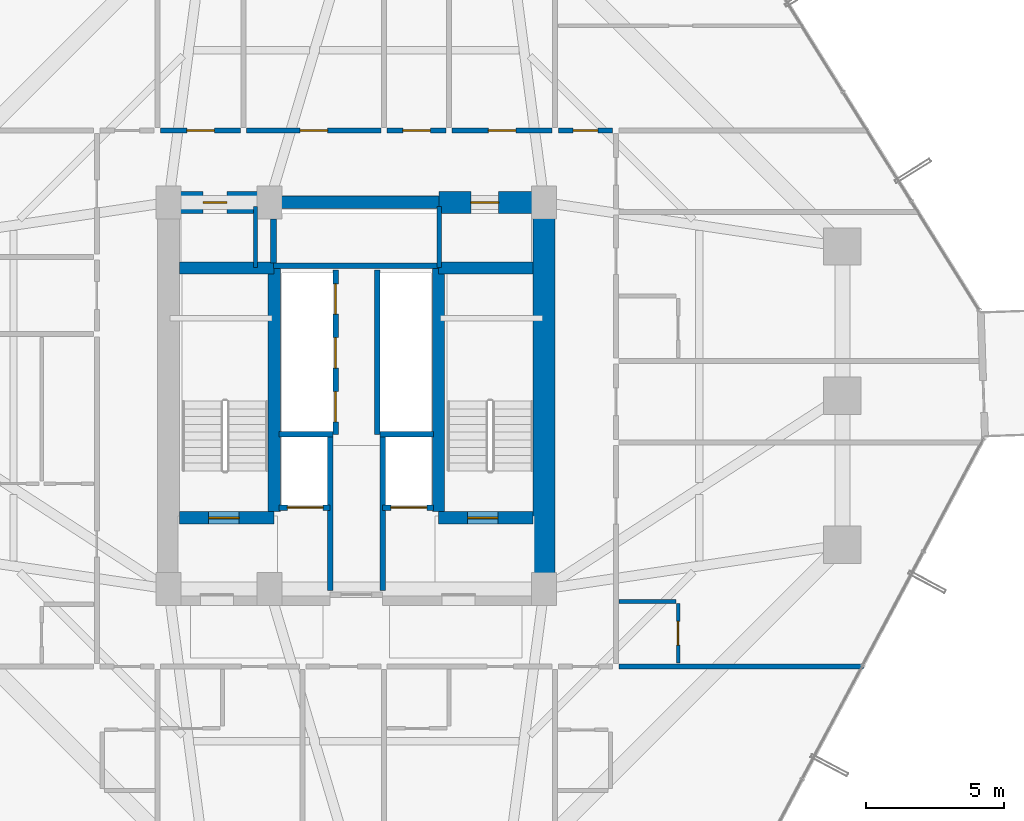
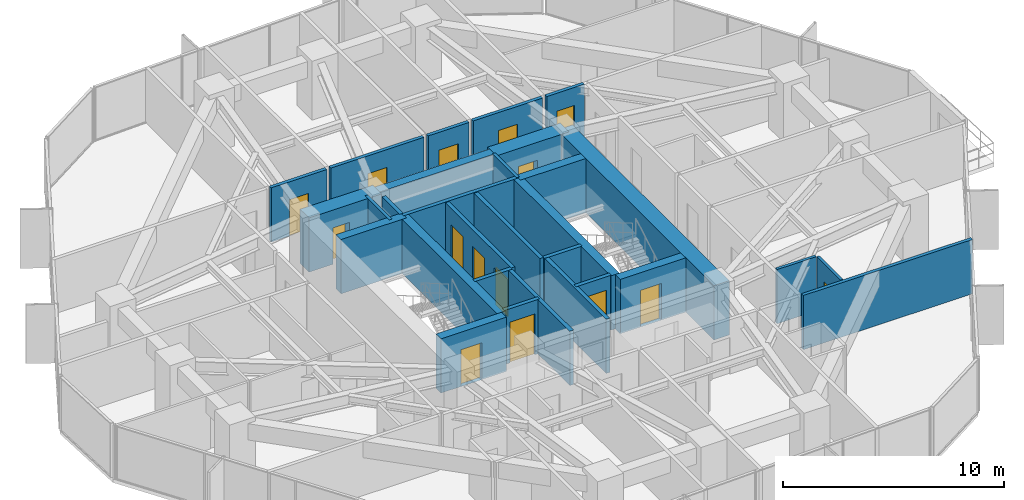
# One storey, part 36 of 39: 30 walls, 15 doors, 15 openings.
"""IFC4 building model written with IfcOpenShell, lengths in metres."""

import ifcopenshell
import ifcopenshell.guid

model = None  # the IFC model being written
_history = None  # IfcOwnerHistory: only IFC2X3 demands one
_inside = {}  # id of a spatial element -> (the spatial element, [elements in it])
_under = {}  # id of a project, library or spatial element -> (it, [spatial elements below it])
_declared = {}  # id of a project -> (the project, [libraries it declares])
_typed = {}  # id of a type object -> (the type object, [elements of that type])
_made_of = {}  # id of a material, layer set ... -> (it, [elements and type objects made of it])


def new_model(schema):
    """Start an empty IFC model of exactly this schema.

    Asked for "IFC4X3", IfcOpenShell would pick the latest addendum, in which some entities
    have other attributes; the version numbers below select the first issue.
    IFC2X3 requires an IfcOwnerHistory on every rooted entity: one is made here for all.
    """
    global model, _history
    if schema == "IFC4X3":
        model = ifcopenshell.file(schema_version=(4, 3, 0, 0))
    else:
        model = ifcopenshell.file(schema=schema)
    _inside.clear()
    _under.clear()
    _declared.clear()
    _typed.clear()
    _made_of.clear()
    _history = None
    if model.schema == "IFC2X3":
        org = make("IfcOrganization", Name="unknown")
        user = make(
            "IfcPersonAndOrganization",
            ThePerson=make("IfcPerson", FamilyName="unknown"),
            TheOrganization=org,
        )
        app = make(
            "IfcApplication",
            ApplicationDeveloper=org,
            Version="unknown",
            ApplicationFullName="unknown",
            ApplicationIdentifier="unknown",
        )
        _history = make(
            "IfcOwnerHistory",
            OwningUser=user,
            OwningApplication=app,
            ChangeAction="ADDED",
            CreationDate=0,
        )
    return model


def make(cls, **values):
    """One entity of the class cls with the attributes given. An attribute that is None is left unset."""
    return model.create_entity(
        cls, **{name: value for name, value in values.items() if value is not None}
    )


def rooted(cls, **values):
    """An entity with a GlobalId (a new one), such as an element, a storey or a relation."""
    return make(cls, GlobalId=ifcopenshell.guid.new(), OwnerHistory=_history, **values)


def si_unit(unit_type, name, prefix=None):
    """IfcSIUnit, for example si_unit("LENGTHUNIT", "METRE", prefix="MILLI")."""
    return make("IfcSIUnit", UnitType=unit_type, Prefix=prefix, Name=name)


def assignment(units):
    """IfcUnitAssignment: the units of a project."""
    return None if units is None else make("IfcUnitAssignment", Units=units)


def point(xyz):
    """IfcCartesianPoint."""
    return None if xyz is None else make("IfcCartesianPoint", Coordinates=xyz)


def direction(xyz):
    """IfcDirection."""
    return None if xyz is None else make("IfcDirection", DirectionRatios=xyz)


def frame(location, z_axis=None, x_axis=None):
    """IfcAxis2Placement3D, a coordinate frame: its origin and axes. An axis left out is left unset."""
    return make(
        "IfcAxis2Placement3D",
        Location=point(location),
        Axis=direction(z_axis),
        RefDirection=direction(x_axis),
    )


def frame_2d(location, x_axis=None):
    """IfcAxis2Placement2D, a coordinate frame in the plane: its origin and x axis."""
    return make(
        "IfcAxis2Placement2D", Location=point(location), RefDirection=direction(x_axis)
    )


def origin():
    """The frame at (0, 0, 0) with its axes left unset."""
    return frame((0.0, 0.0, 0.0))


def place(relative_to, where):
    """IfcLocalPlacement: puts the frame where relative to a parent placement (None: the world)."""
    return make(
        "IfcLocalPlacement", PlacementRelTo=relative_to, RelativePlacement=where
    )


def context(
    kind, dimensions, precision=None, world=None, true_north=None, identifier=None
):
    """IfcGeometricRepresentationContext, for example the 3D "Model" context."""
    return make(
        "IfcGeometricRepresentationContext",
        ContextIdentifier=identifier,
        ContextType=kind,
        CoordinateSpaceDimension=dimensions,
        Precision=precision,
        WorldCoordinateSystem=world,
        TrueNorth=true_north,
    )


def subcontext(parent, identifier, kind, view, scale=None):
    """IfcGeometricRepresentationSubContext, for example "Body" below "Model"."""
    return make(
        "IfcGeometricRepresentationSubContext",
        ContextIdentifier=identifier,
        ContextType=kind,
        ParentContext=parent,
        TargetScale=scale,
        TargetView=view,
    )


def project(units=None, contexts=None):
    """IfcProject with its units and contexts."""
    return rooted(
        "IfcProject",
        Name="project",
        RepresentationContexts=contexts,
        UnitsInContext=assignment(units),
    )


def spatial(cls, under=None, at=None, **own):
    """A site, building, storey or space (cls), placed at a placement, below another one or the project."""
    s = rooted(cls, ObjectPlacement=at, **own)
    if under is not None:
        _under.setdefault(under.id(), (under, []))[1].append(s)
    return s


def profile(cls, at=None, kind="AREA", **sizes):
    """A parametric profile (cls). Its sizes go by their IFC names, for example OverallWidth=200.0."""
    return make(cls, ProfileType=kind, Position=at, **sizes)


def rectangle(**sizes):
    """IfcRectangleProfileDef."""
    return profile("IfcRectangleProfileDef", **sizes)


def extrude(swept, where, along, depth):
    """IfcExtrudedAreaSolid: the profile swept, set in the frame where, extruded along a direction by depth."""
    return make(
        "IfcExtrudedAreaSolid",
        SweptArea=swept,
        Position=where,
        ExtrudedDirection=direction(along),
        Depth=depth,
    )


def shape(context_of_items, identifier, shape_type, items):
    """IfcShapeRepresentation: the items that make up one representation, for example the "Body"."""
    return make(
        "IfcShapeRepresentation",
        ContextOfItems=context_of_items,
        RepresentationIdentifier=identifier,
        RepresentationType=shape_type,
        Items=items,
    )


def source(mapping_origin, context_of_items, identifier, shape_type, items):
    """IfcRepresentationMap: a shape defined once, which mapped items show again and again."""
    return make(
        "IfcRepresentationMap",
        MappingOrigin=mapping_origin,
        MappedRepresentation=shape(context_of_items, identifier, shape_type, items),
    )


def transform(
    local_origin,
    x_axis=None,
    y_axis=None,
    z_axis=None,
    scale=None,
    scale2=None,
    scale3=None,
    uniform=True,
):
    """IfcCartesianTransformationOperator3D, or its non-uniform kind. x_axis, y_axis, z_axis: its Axis1, 2, 3."""
    if uniform:
        return make(
            "IfcCartesianTransformationOperator3D",
            Axis1=direction(x_axis),
            Axis2=direction(y_axis),
            LocalOrigin=point(local_origin),
            Scale=scale,
            Axis3=direction(z_axis),
        )
    return make(
        "IfcCartesianTransformationOperator3DnonUniform",
        Axis1=direction(x_axis),
        Axis2=direction(y_axis),
        LocalOrigin=point(local_origin),
        Scale=scale,
        Axis3=direction(z_axis),
        Scale2=scale2,
        Scale3=scale3,
    )


def mapped(mapping_source, mapping_target):
    """IfcMappedItem: shows the shape of a source again, moved by a transform."""
    return make(
        "IfcMappedItem", MappingSource=mapping_source, MappingTarget=mapping_target
    )


def material(Name=None, Category=None):
    """IfcMaterial."""
    return make("IfcMaterial", Name=Name, Category=Category)


def layer(
    of_material, thickness, ventilated=None, Name=None, Category=None, Priority=None
):
    """IfcMaterialLayer: one layer of a wall or slab, of a material (None: an air gap)."""
    return make(
        "IfcMaterialLayer",
        Material=of_material,
        LayerThickness=thickness,
        IsVentilated=ventilated,
        Name=Name,
        Category=Category,
        Priority=Priority,
    )


def layer_set(layers, Name=None):
    """IfcMaterialLayerSet."""
    return make("IfcMaterialLayerSet", MaterialLayers=layers, LayerSetName=Name)


def made_of(thing, what):
    """Note that an element or type object is made of a material, layer set ...; save() writes the relation."""
    if what is not None:
        _made_of.setdefault(what.id(), (what, []))[1].append(thing)
    return thing


def type_object(cls, material=None, **own):
    """A type object (cls), such as IfcWallType, which elements share."""
    return made_of(rooted(cls, **own), material)


def element(
    cls,
    number,
    at=None,
    inside=None,
    cuts=None,
    type_object=None,
    material=None,
    context=None,
    identifier="Body",
    shape_type=None,
    held_by="IfcProductDefinitionShape",
    body=None,
    shapes=None,
    **own,
):
    """One element of the class cls, such as IfcWall. Its Tag is "e" and its number.

    at: its placement. inside: the storey or other place that contains it. cuts: it is an
    opening in that element (IfcRelVoidsElement). A single representation is given by context,
    identifier, shape_type and body (its items); several are given by shapes. held_by: the class
    of the entity that holds the representations. save() writes the other relations.
    """
    e = rooted(cls, Tag="e%d" % number, ObjectPlacement=at, **own)
    if body is not None:
        shapes = [shape(context, identifier, shape_type, body)]
    if shapes is not None:
        e.Representation = make(held_by, Representations=shapes)
    if inside is not None:
        _inside.setdefault(inside.id(), (inside, []))[1].append(e)
    if cuts is not None:
        rooted(
            "IfcRelVoidsElement", RelatingBuildingElement=cuts, RelatedOpeningElement=e
        )
    if type_object is not None:
        _typed.setdefault(type_object.id(), (type_object, []))[1].append(e)
    return made_of(e, material)


def fill(opening, filler):
    """IfcRelFillsElement: the door or window that sits in an opening."""
    return rooted(
        "IfcRelFillsElement",
        RelatingOpeningElement=opening,
        RelatedBuildingElement=filler,
    )


def aggregate(whole, parts):
    """IfcRelAggregates: a whole, such as a stair, and the parts it consists of."""
    return rooted("IfcRelAggregates", RelatingObject=whole, RelatedObjects=parts)


def save(model, path):
    """Write the relations noted so far, then the file.

    IfcRelAggregates (storeys below a building ...), IfcRelContainedInSpatialStructure (elements
    in a storey), IfcRelDefinesByType, IfcRelAssociatesMaterial and IfcRelDeclares: one each for
    every whole, place, type object, material and project.
    """
    for whole, parts in _under.values():
        aggregate(whole, parts)
    for where, things in _inside.values():
        rooted(
            "IfcRelContainedInSpatialStructure",
            RelatedElements=things,
            RelatingStructure=where,
        )
    for kind, things in _typed.values():
        rooted("IfcRelDefinesByType", RelatedObjects=things, RelatingType=kind)
    for what, things in _made_of.values():
        rooted("IfcRelAssociatesMaterial", RelatedObjects=things, RelatingMaterial=what)
    for by, libraries in _declared.values():
        rooted("IfcRelDeclares", RelatingContext=by, RelatedDefinitions=libraries)
    model.write(path)


model = new_model("IFC4")

# Units and contexts
model_context = context("Model", 3, precision=1e-05, world=origin(), true_north=direction((0.0, 1.0)))
body_context = subcontext(model_context, "Body", "Model", "MODEL_VIEW")
ifc_project = project(units=[si_unit("LENGTHUNIT", "METRE"), si_unit("AREAUNIT", "SQUARE_METRE"), si_unit("VOLUMEUNIT", "CUBIC_METRE"), si_unit("PLANEANGLEUNIT", "RADIAN"), si_unit("MASSUNIT", "GRAM", prefix="KILO")], contexts=[model_context])

# Site, building, storey
site_placement = place(None, origin())
site = spatial("IfcSite", under=ifc_project, at=site_placement, CompositionType="ELEMENT")
building_placement = place(site_placement, origin())
building = spatial("IfcBuilding", under=site, at=building_placement, Name="Veraguas Prism Commons", CompositionType="ELEMENT")
storey_placement = place(building_placement, frame((0.0, 0.0, 30.550048828125)))
storey = spatial("IfcBuildingStorey", under=building, at=storey_placement, Name="L07", CompositionType="ELEMENT", Elevation=30.550048828125)

# Wall
ifc_material_1 = material(Name="Concrete C60/75", Category="concrete")
ifc_layer_1 = layer(ifc_material_1, 0.449951171875, Name="Core Internal Shear Wall Lower RC 450", Category="concrete")
ifc_layer_set_1 = layer_set([ifc_layer_1], Name="Concrete C60/75")
wall_type_1 = type_object("IfcWallType", Name="Core Internal Shear Wall Lower RC 450", PredefinedType="SHEAR", material=ifc_layer_set_1)
wall_1_placement = place(storey_placement, frame((21.0, 31.0, 0.0), z_axis=(0.0, 0.0, 1.0), x_axis=(1.0, 0.0, 0.0)))
element("IfcWall", 1, at=wall_1_placement, inside=storey, type_object=wall_type_1, Name="High-Rise Lift Bank Front Shear Wall L07", PredefinedType="SHEAR", context=body_context, shape_type="SweptSolid", body=[
    extrude(rectangle(XDim=6.0, YDim=0.449951171875, at=frame_2d((3.0, 0.0))), origin(), (0.0, 0.0, 1.0), 3.0),
])

# Wall, opening, door
wall_2_placement = place(storey_placement, frame((17.60009765625, 19.574951171875, 0.0), z_axis=(0.0, 0.0, 1.0), x_axis=(1.0, 0.0, 0.0)))
wall_2 = element("IfcWall", 2, at=wall_2_placement, inside=storey, type_object=wall_type_1, Name="Stair ST-01 South Shear Wall L07", PredefinedType="SHEAR", context=body_context, shape_type="SweptSolid", body=[
    extrude(rectangle(XDim=3.4248046875, YDim=0.449951171875, at=frame_2d((1.71240234375, 0.0))), origin(), (0.0, 0.0, 1.0), 3.0),
])
opening_1_placement = place(wall_2_placement, frame((1.050048828125, 0.0, 0.0)))
opening_1 = element("IfcOpeningElement", 3, at=opening_1_placement, cuts=wall_2, Name="Opening DR-05", PredefinedType="OPENING", context=body_context, shape_type="SweptSolid", body=[
    extrude(rectangle(XDim=1.10009765625, YDim=2.030029296875, at=frame_2d((0.550048828125, 1.01513671875))), frame((0.0, 0.23486328125, 0.0), z_axis=(0.0, -1.0, 0.0), x_axis=(1.0, 0.0, 0.0)), (0.0, 0.0, 1.0), 0.469970703125),
])
ifc_material_2 = material(Name="Steel fire-rated door assembly", Category="steel")
door_type_1 = type_object("IfcDoorType", Name="Protected Stair and Refuge Fire Door 1100x2030", OperationType="NOTDEFINED", PredefinedType="DOOR", material=ifc_material_2)
shared_shape_1 = source(origin(), body_context, "Body", "SweptSolid", [
    extrude(rectangle(XDim=1.10009765625, YDim=2.030029296875, at=frame_2d((0.550048828125, 1.01513671875))), frame((0.0, 0.02490234375, 0.0), z_axis=(0.0, -1.0, 0.0), x_axis=(1.0, 0.0, 0.0)), (0.0, 0.0, 1.0), 0.050048828125),
])
door_1_placement = place(opening_1_placement, origin())
door_1 = element("IfcDoor", 4, at=door_1_placement, inside=storey, type_object=door_type_1, Name="Stair ST-01 Enclosure Door L07", OperationType="SINGLE_SWING_LEFT", OverallHeight=2.030029296875, OverallWidth=1.10009765625, PredefinedType="DOOR", context=body_context, shape_type="MappedRepresentation", body=[
    mapped(shared_shape_1, transform((0.0, 0.0, 0.0), scale=1.0)),
])
fill(opening_1, door_1)

wall_3_placement = place(storey_placement, frame((26.97509765625, 19.574951171875, 0.0), z_axis=(0.0, 0.0, 1.0), x_axis=(1.0, 0.0, 0.0)))
wall_3 = element("IfcWall", 5, at=wall_3_placement, inside=storey, type_object=wall_type_1, Name="Stair ST-02 South Shear Wall L07", PredefinedType="SHEAR", context=body_context, shape_type="SweptSolid", body=[
    extrude(rectangle(XDim=3.4248046875, YDim=0.449951171875, at=frame_2d((1.71240234375, 0.0))), origin(), (0.0, 0.0, 1.0), 3.0),
])
opening_2_placement = place(wall_3_placement, frame((1.050048828125, 0.0, 0.0)))
opening_2 = element("IfcOpeningElement", 6, at=opening_2_placement, cuts=wall_3, Name="Opening DR-05", PredefinedType="OPENING", context=body_context, shape_type="SweptSolid", body=[
    extrude(rectangle(XDim=1.10009765625, YDim=2.030029296875, at=frame_2d((0.550048828125, 1.01513671875))), frame((0.0, 0.23486328125, 0.0), z_axis=(0.0, -1.0, 0.0), x_axis=(1.0, 0.0, 0.0)), (0.0, 0.0, 1.0), 0.469970703125),
])
door_2_placement = place(opening_2_placement, origin())
door_2 = element("IfcDoor", 7, at=door_2_placement, inside=storey, type_object=door_type_1, Name="Stair ST-02 Enclosure Door L07", OperationType="SINGLE_SWING_RIGHT", OverallHeight=2.030029296875, OverallWidth=1.10009765625, PredefinedType="DOOR", context=body_context, shape_type="MappedRepresentation", body=[
    mapped(shared_shape_1, transform((0.0, 0.0, 0.0), scale=1.0)),
])
fill(opening_2, door_2)

# Walls
for number, where, z_axis, x_axis, name in (
    (8, (21.02490234375, 19.800048828125, 0.0), (0.0, 0.0, 1.0), (0.0, 1.0, 0.0), "Stair ST-01 Inner Shear Wall L07"),
    (9, (26.97509765625, 19.800048828125, 0.0), (0.0, 0.0, 1.0), (0.0, 1.0, 0.0), "Stair ST-02 Inner Shear Wall L07"),
):
    element("IfcWall", number, at=place(storey_placement, frame(where, z_axis=z_axis, x_axis=x_axis)), inside=storey, type_object=wall_type_1, Name=name, PredefinedType="SHEAR", context=body_context, shape_type="SweptSolid", body=[
        extrude(rectangle(XDim=8.824951171875, YDim=0.449951171875, at=frame_2d((4.41259765625, 0.0))), origin(), (0.0, 0.0, 1.0), 3.0),
    ])
for number, where, z_axis, x_axis, name in (
    (10, (17.60009765625, 28.625, 0.0), (0.0, 0.0, 1.0), (1.0, 0.0, 0.0), "Stair ST-01 North Shear Wall L07"),
    (11, (26.97509765625, 28.625, 0.0), (0.0, 0.0, 1.0), (1.0, 0.0, 0.0), "Stair ST-02 North Shear Wall L07"),
):
    element("IfcWall", number, at=place(storey_placement, frame(where, z_axis=z_axis, x_axis=x_axis)), inside=storey, type_object=wall_type_1, Name=name, PredefinedType="SHEAR", context=body_context, shape_type="SweptSolid", body=[
        extrude(rectangle(XDim=3.4248046875, YDim=0.449951171875, at=frame_2d((1.71240234375, 0.0))), origin(), (0.0, 0.0, 1.0), 3.0),
    ])
ifc_layer_2 = layer(ifc_material_1, 0.800048828125, Name="Core Outer Shear Wall Lower RC 800", Category="concrete")
ifc_layer_set_2 = layer_set([ifc_layer_2], Name="Concrete C60/75")
wall_type_2 = type_object("IfcWallType", Name="Core Outer Shear Wall Lower RC 800", PredefinedType="SHEAR", material=ifc_layer_set_2)
wall_4_placement = place(storey_placement, frame((30.800048828125, 16.800048828125, 0.0), z_axis=(0.0, 0.0, 1.0), x_axis=(0.0, 1.0, 0.0)))
element("IfcWall", 12, at=wall_4_placement, inside=storey, type_object=wall_type_2, Name="Central Core East Shear Wall L07", PredefinedType="SHEAR", context=body_context, shape_type="SweptSolid", body=[
    extrude(rectangle(XDim=14.199951171875, YDim=0.800048828125, at=frame_2d((7.10009765625, 0.0))), origin(), (0.0, 0.0, 1.0), 3.0),
])

# Wall, opening, door
wall_5_placement = place(storey_placement, frame((17.199951171875, 31.0, 0.0), z_axis=(0.0, 0.0, 1.0), x_axis=(1.0, 0.0, 0.0)))
wall_5 = element("IfcWall", 13, at=wall_5_placement, inside=storey, type_object=wall_type_2, Name="Central Core North-West Shear Wall L07", PredefinedType="SHEAR", context=body_context, shape_type="SweptSolid", body=[
    extrude(rectangle(XDim=3.800048828125, YDim=0.800048828125, at=frame_2d((1.89990234375, 0.0))), origin(), (0.0, 0.0, 1.0), 3.0),
])
opening_3_placement = place(wall_5_placement, frame((1.25, 0.0, 0.0)))
opening_3 = element("IfcOpeningElement", 14, at=opening_3_placement, cuts=wall_5, Name="Opening DR-12", PredefinedType="OPENING", context=body_context, shape_type="SweptSolid", body=[
    extrude(rectangle(XDim=0.860107421875, YDim=2.010009765625, at=frame_2d((0.43017578125, 1.0048828125))), frame((0.0, 0.409912109375, 0.0), z_axis=(0.0, -1.0, 0.0), x_axis=(1.0, 0.0, 0.0)), (0.0, 0.0, 1.0), 0.820068359375),
])
door_type_2 = type_object("IfcDoorType", Name="Core WC Fire Door 860x2010", OperationType="NOTDEFINED", PredefinedType="DOOR", material=ifc_material_2)
shared_shape_2 = source(origin(), body_context, "Body", "SweptSolid", [
    extrude(rectangle(XDim=0.860107421875, YDim=2.010009765625, at=frame_2d((0.43017578125, 1.0048828125))), frame((0.0, 0.02490234375, 0.0), z_axis=(0.0, -1.0, 0.0), x_axis=(1.0, 0.0, 0.0)), (0.0, 0.0, 1.0), 0.050048828125),
])
door_3_placement = place(opening_3_placement, origin())
door_3 = element("IfcDoor", 15, at=door_3_placement, inside=storey, type_object=door_type_2, Name="Core NW Service Door L07", OperationType="SINGLE_SWING_LEFT", OverallHeight=2.010009765625, OverallWidth=0.860107421875, PredefinedType="DOOR", context=body_context, shape_type="MappedRepresentation", body=[
    mapped(shared_shape_2, transform((0.0, 0.0, 0.0), scale=1.0)),
])
fill(opening_3, door_3)

wall_6_placement = place(storey_placement, frame((27.0, 31.0, 0.0), z_axis=(0.0, 0.0, 1.0), x_axis=(1.0, 0.0, 0.0)))
wall_6 = element("IfcWall", 16, at=wall_6_placement, inside=storey, type_object=wall_type_2, Name="Central Core North-East Shear Wall L07", PredefinedType="SHEAR", context=body_context, shape_type="SweptSolid", body=[
    extrude(rectangle(XDim=3.800048828125, YDim=0.800048828125, at=frame_2d((1.89990234375, 0.0))), origin(), (0.0, 0.0, 1.0), 3.0),
])
opening_4_placement = place(wall_6_placement, frame((1.14990234375, 0.0, 0.0)))
opening_4 = element("IfcOpeningElement", 17, at=opening_4_placement, cuts=wall_6, Name="Opening DR-13", PredefinedType="OPENING", context=body_context, shape_type="SweptSolid", body=[
    extrude(rectangle(XDim=1.0, YDim=2.010009765625, at=frame_2d((0.5, 1.0048828125))), frame((0.0, 0.409912109375, 0.0), z_axis=(0.0, -1.0, 0.0), x_axis=(1.0, 0.0, 0.0)), (0.0, 0.0, 1.0), 0.820068359375),
])
door_type_3 = type_object("IfcDoorType", Name="Core Accessible WC and Clinic Fire Door 1000x2010", OperationType="NOTDEFINED", PredefinedType="DOOR", material=ifc_material_2)
shared_shape_3 = source(origin(), body_context, "Body", "SweptSolid", [
    extrude(rectangle(XDim=1.0, YDim=2.010009765625, at=frame_2d((0.5, 1.0048828125))), frame((0.0, 0.02490234375, 0.0), z_axis=(0.0, -1.0, 0.0), x_axis=(1.0, 0.0, 0.0)), (0.0, 0.0, 1.0), 0.050048828125),
])
door_4_placement = place(opening_4_placement, origin())
door_4 = element("IfcDoor", 18, at=door_4_placement, inside=storey, type_object=door_type_3, Name="Core NE Pantry Door L07", OperationType="SINGLE_SWING_RIGHT", OverallHeight=2.010009765625, OverallWidth=1.0, PredefinedType="DOOR", context=body_context, shape_type="MappedRepresentation", body=[
    mapped(shared_shape_3, transform((0.0, 0.0, 0.0), scale=1.0)),
])
fill(opening_4, door_4)

ifc_material_3 = material(Name="Autoclaved aerated masonry block 10 MPa", Category="masonry")
ifc_layer_3 = layer(ifc_material_3, 0.179931640625, Name="Corridor and Inter-Tenancy Partition 180", Category="masonry")
ifc_layer_set_3 = layer_set([ifc_layer_3], Name="Autoclaved aerated masonry block 10 MPa")
wall_type_3 = type_object("IfcWallType", Name="Corridor and Inter-Tenancy Partition 180", PredefinedType="PARTITIONING", material=ifc_layer_set_3)
wall_7_placement = place(storey_placement, frame((16.909912109375, 33.60009765625, 0.0), z_axis=(0.0, 0.0, 1.0), x_axis=(1.0, 0.0, 0.0)))
wall_7 = element("IfcWall", 19, at=wall_7_placement, inside=storey, type_object=wall_type_3, Name="WL-L07-PT014", PredefinedType="PARTITIONING", context=body_context, shape_type="SweptSolid", body=[
    extrude(rectangle(XDim=2.899169921875, YDim=0.179931640625, at=frame_2d((1.44970703125, 0.0))), origin(), (0.0, 0.0, 1.0), 3.0),
])
opening_5_placement = place(wall_7_placement, frame((0.949462890625, 0.0, 0.0)))
opening_5 = element("IfcOpeningElement", 20, at=opening_5_placement, cuts=wall_7, Name="Opening DR-13", PredefinedType="OPENING", context=body_context, shape_type="SweptSolid", body=[
    extrude(rectangle(XDim=1.0, YDim=2.010009765625, at=frame_2d((0.5, 1.0048828125))), frame((0.0, 0.099853515625, 0.0), z_axis=(0.0, -1.0, 0.0), x_axis=(1.0, 0.0, 0.0)), (0.0, 0.0, 1.0), 0.199951171875),
])
door_5_placement = place(opening_5_placement, origin())
door_5 = element("IfcDoor", 21, at=door_5_placement, inside=storey, type_object=door_type_3, Name="Residents Study Room Door", OperationType="SINGLE_SWING_RIGHT", OverallHeight=2.010009765625, OverallWidth=1.0, PredefinedType="DOOR", context=body_context, shape_type="MappedRepresentation", body=[
    mapped(shared_shape_3, transform((0.0, 0.0, 0.0), scale=1.0)),
])
fill(opening_5, door_5)

wall_8_placement = place(storey_placement, frame((20.029052734375, 33.60009765625, 0.0), z_axis=(0.0, 0.0, 1.0), x_axis=(1.0, 0.0, 0.0)))
wall_8 = element("IfcWall", 22, at=wall_8_placement, inside=storey, type_object=wall_type_3, Name="WL-L07-PT015", PredefinedType="PARTITIONING", context=body_context, shape_type="SweptSolid", body=[
    extrude(rectangle(XDim=4.868896484375, YDim=0.179931640625, at=frame_2d((2.4345703125, 0.0))), origin(), (0.0, 0.0, 1.0), 3.0),
])
opening_6_placement = place(wall_8_placement, frame((1.9345703125, 0.0, 0.0)))
opening_6 = element("IfcOpeningElement", 23, at=opening_6_placement, cuts=wall_8, Name="Opening DR-13", PredefinedType="OPENING", context=body_context, shape_type="SweptSolid", body=[
    extrude(rectangle(XDim=1.0, YDim=2.010009765625, at=frame_2d((0.5, 1.0048828125))), frame((0.0, 0.099853515625, 0.0), z_axis=(0.0, -1.0, 0.0), x_axis=(1.0, 0.0, 0.0)), (0.0, 0.0, 1.0), 0.199951171875),
])
door_6_placement = place(opening_6_placement, origin())
door_6 = element("IfcDoor", 24, at=door_6_placement, inside=storey, type_object=door_type_3, Name="Co-op Store N Door", OperationType="SINGLE_SWING_LEFT", OverallHeight=2.010009765625, OverallWidth=1.0, PredefinedType="DOOR", context=body_context, shape_type="MappedRepresentation", body=[
    mapped(shared_shape_3, transform((0.0, 0.0, 0.0), scale=1.0)),
])
fill(opening_6, door_6)

wall_9_placement = place(storey_placement, frame((25.117919921875, 33.60009765625, 0.0), z_axis=(0.0, 0.0, 1.0), x_axis=(1.0, 0.0, 0.0)))
wall_9 = element("IfcWall", 25, at=wall_9_placement, inside=storey, type_object=wall_type_3, Name="WL-L07-PT018", PredefinedType="PARTITIONING", context=body_context, shape_type="SweptSolid", body=[
    extrude(rectangle(XDim=2.133056640625, YDim=0.179931640625, at=frame_2d((1.06640625, 0.0))), origin(), (0.0, 0.0, 1.0), 3.0),
])
opening_7_placement = place(wall_9_placement, frame((0.56640625, 0.0, 0.0)))
opening_7 = element("IfcOpeningElement", 26, at=opening_7_placement, cuts=wall_9, Name="Opening DR-13", PredefinedType="OPENING", context=body_context, shape_type="SweptSolid", body=[
    extrude(rectangle(XDim=1.0, YDim=2.010009765625, at=frame_2d((0.5, 1.0048828125))), frame((0.0, 0.099853515625, 0.0), z_axis=(0.0, -1.0, 0.0), x_axis=(1.0, 0.0, 0.0)), (0.0, 0.0, 1.0), 0.199951171875),
])
door_7_placement = place(opening_7_placement, origin())
door_7 = element("IfcDoor", 27, at=door_7_placement, inside=storey, type_object=door_type_3, Name="Shared Laundry Room Door", OperationType="SINGLE_SWING_RIGHT", OverallHeight=2.010009765625, OverallWidth=1.0, PredefinedType="DOOR", context=body_context, shape_type="MappedRepresentation", body=[
    mapped(shared_shape_3, transform((0.0, 0.0, 0.0), scale=1.0)),
])
fill(opening_7, door_7)

wall_10_placement = place(storey_placement, frame((27.470947265625, 33.60009765625, 0.0), z_axis=(0.0, 0.0, 1.0), x_axis=(1.0, 0.0, 0.0)))
wall_10 = element("IfcWall", 28, at=wall_10_placement, inside=storey, type_object=wall_type_3, Name="WL-L07-PT019", PredefinedType="PARTITIONING", context=body_context, shape_type="SweptSolid", body=[
    extrude(rectangle(XDim=3.619140625, YDim=0.179931640625, at=frame_2d((1.8095703125, 0.0))), origin(), (0.0, 0.0, 1.0), 3.0),
])
opening_8_placement = place(wall_10_placement, frame((1.3095703125, 0.0, 0.0)))
opening_8 = element("IfcOpeningElement", 29, at=opening_8_placement, cuts=wall_10, Name="Opening DR-13", PredefinedType="OPENING", context=body_context, shape_type="SweptSolid", body=[
    extrude(rectangle(XDim=1.0, YDim=2.010009765625, at=frame_2d((0.5, 1.0048828125))), frame((0.0, 0.099853515625, 0.0), z_axis=(0.0, -1.0, 0.0), x_axis=(1.0, 0.0, 0.0)), (0.0, 0.0, 1.0), 0.199951171875),
])
door_8_placement = place(opening_8_placement, origin())
door_8 = element("IfcDoor", 30, at=door_8_placement, inside=storey, type_object=door_type_3, Name="Co-op Store N Door", OperationType="SINGLE_SWING_LEFT", OverallHeight=2.010009765625, OverallWidth=1.0, PredefinedType="DOOR", context=body_context, shape_type="MappedRepresentation", body=[
    mapped(shared_shape_3, transform((0.0, 0.0, 0.0), scale=1.0)),
])
fill(opening_8, door_8)

# Wall
wall_11_placement = place(storey_placement, frame((33.52001953125, 14.199951171875, 0.0), z_axis=(0.0, 0.0, 1.0), x_axis=(1.0, 0.0, 0.0)))
element("IfcWall", 31, at=wall_11_placement, inside=storey, type_object=wall_type_3, Name="WL-L07-PT035", PredefinedType="PARTITIONING", context=body_context, shape_type="SweptSolid", body=[
    extrude(rectangle(XDim=8.84326171875, YDim=0.179931640625, at=frame_2d((4.421630859375, 0.0))), origin(), (0.0, 0.0, 1.0), 3.0),
])

# Wall, opening, door
wall_12_placement = place(storey_placement, frame((31.320068359375, 33.60009765625, 0.0), z_axis=(0.0, 0.0, 1.0), x_axis=(1.0, 0.0, 0.0)))
wall_12 = element("IfcWall", 32, at=wall_12_placement, inside=storey, type_object=wall_type_3, Name="WL-L07-PT057", PredefinedType="PARTITIONING", context=body_context, shape_type="SweptSolid", body=[
    extrude(rectangle(XDim=1.9599609375, YDim=0.179931640625, at=frame_2d((0.97998046875, 0.0))), origin(), (0.0, 0.0, 1.0), 3.0),
])
opening_9_placement = place(wall_12_placement, frame((0.530029296875, 0.0, 0.0)))
opening_9 = element("IfcOpeningElement", 33, at=opening_9_placement, cuts=wall_12, Name="Opening DR-14", PredefinedType="OPENING", context=body_context, shape_type="SweptSolid", body=[
    extrude(rectangle(XDim=0.89990234375, YDim=2.010009765625, at=frame_2d((0.449951171875, 1.0048828125))), frame((0.0, 0.099853515625, 0.0), z_axis=(0.0, -1.0, 0.0), x_axis=(1.0, 0.0, 0.0)), (0.0, 0.0, 1.0), 0.199951171875),
])
door_type_4 = type_object("IfcDoorType", Name="Core Service Room Fire Door 900x2010", OperationType="NOTDEFINED", PredefinedType="DOOR", material=ifc_material_2)
shared_shape_4 = source(origin(), body_context, "Body", "SweptSolid", [
    extrude(rectangle(XDim=0.89990234375, YDim=2.010009765625, at=frame_2d((0.449951171875, 1.0048828125))), frame((0.0, 0.02490234375, 0.0), z_axis=(0.0, -1.0, 0.0), x_axis=(1.0, 0.0, 0.0)), (0.0, 0.0, 1.0), 0.050048828125),
])
door_9_placement = place(opening_9_placement, origin())
door_9 = element("IfcDoor", 34, at=door_9_placement, inside=storey, type_object=door_type_4, Name="Shared Laundry Room Door", OperationType="SINGLE_SWING_RIGHT", OverallHeight=2.010009765625, OverallWidth=0.89990234375, PredefinedType="DOOR", context=body_context, shape_type="MappedRepresentation", body=[
    mapped(shared_shape_4, transform((0.0, 0.0, 0.0), scale=1.0)),
])
fill(opening_9, door_9)

ifc_material_4 = material(Name="Lightweight acoustic gypsum board")
ifc_layer_4 = layer(ifc_material_4, 0.125, Name="Internal Apartment Room Partition 125")
ifc_layer_set_4 = layer_set([ifc_layer_4], Name="Lightweight acoustic gypsum board")
wall_type_4 = type_object("IfcWallType", Name="Internal Apartment Room Partition 125", PredefinedType="PARTITIONING", material=ifc_layer_set_4)
wall_13_placement = place(storey_placement, frame((35.64990234375, 14.320068359375, 0.0), z_axis=(0.0, 0.0, 1.0), x_axis=(0.0, 1.0, 0.0)))
wall_13 = element("IfcWall", 35, at=wall_13_placement, inside=storey, type_object=wall_type_4, Name="WL-L07-PT041", PredefinedType="PARTITIONING", context=body_context, shape_type="SweptSolid", body=[
    extrude(rectangle(XDim=2.14990234375, YDim=0.125, at=frame_2d((1.074951171875, 0.0))), origin(), (0.0, 0.0, 1.0), 3.0),
])
opening_10_placement = place(wall_13_placement, frame((0.64501953125, 0.0, 0.0)))
opening_10 = element("IfcOpeningElement", 36, at=opening_10_placement, cuts=wall_13, Name="Opening DR-03", PredefinedType="OPENING", context=body_context, shape_type="SweptSolid", body=[
    extrude(rectangle(XDim=0.860107421875, YDim=2.010009765625, at=frame_2d((0.43017578125, 1.0048828125))), frame((0.0, 0.072509765625, 0.0), z_axis=(0.0, -1.0, 0.0), x_axis=(1.0, 0.0, 0.0)), (0.0, 0.0, 1.0), 0.14501953125),
])
ifc_material_5 = material(Name="Timber moisture-resistant leaf", Category="wood")
door_type_5 = type_object("IfcDoorType", Name="Internal Bathroom Door 860x2010", OperationType="NOTDEFINED", PredefinedType="DOOR", material=ifc_material_5)
door_10_placement = place(opening_10_placement, origin())
door_10 = element("IfcDoor", 37, at=door_10_placement, inside=storey, type_object=door_type_5, Name="Studio 07D Bathroom Door", OperationType="SINGLE_SWING_LEFT", OverallHeight=2.010009765625, OverallWidth=0.860107421875, PredefinedType="DOOR", context=body_context, shape_type="MappedRepresentation", body=[
    mapped(shared_shape_2, transform((0.0, 0.0, 0.0), scale=1.0)),
])
fill(opening_10, door_10)

ifc_layer_5 = layer(ifc_material_3, 0.199951171875, Name="Rated Shaft and Lobby Block Wall 200", Category="masonry")
ifc_layer_set_5 = layer_set([ifc_layer_5], Name="Autoclaved aerated masonry block 10 MPa")
wall_type_5 = type_object("IfcWallType", Name="Rated Shaft and Lobby Block Wall 200", PredefinedType="SOLIDWALL", material=ifc_layer_set_5)
wall_14_placement = place(storey_placement, frame((21.199951171875, 19.949951171875, 0.0), z_axis=(0.0, 0.0, 1.0), x_axis=(1.0, 0.0, 0.0)))
wall_14 = element("IfcWall", 38, at=wall_14_placement, inside=storey, type_object=wall_type_5, Name="Firefighting Lift FFL-1 Front Wall L07", PredefinedType="SOLIDWALL", context=body_context, shape_type="SweptSolid", body=[
    extrude(rectangle(XDim=1.85009765625, YDim=0.199951171875, at=frame_2d((0.925048828125, 0.0))), origin(), (0.0, 0.0, 1.0), 3.0),
])
opening_11_placement = place(wall_14_placement, frame((0.300048828125, 0.0, 0.0)))
opening_11 = element("IfcOpeningElement", 39, at=opening_11_placement, cuts=wall_14, Name="Opening LD-02", PredefinedType="OPENING", context=body_context, shape_type="SweptSolid", body=[
    extrude(rectangle(XDim=1.300048828125, YDim=2.25, at=frame_2d((0.64990234375, 1.125))), frame((0.0, 0.10986328125, 0.0), z_axis=(0.0, -1.0, 0.0), x_axis=(1.0, 0.0, 0.0)), (0.0, 0.0, 1.0), 0.219970703125),
])
ifc_material_6 = material(Name="Stainless steel AISI 316", Category="steel")
door_type_6 = type_object("IfcDoorType", Name="Firefighting Lift Sliding Landing Door 1300x2250", OperationType="NOTDEFINED", PredefinedType="DOOR", material=ifc_material_6)
shared_shape_5 = source(origin(), body_context, "Body", "SweptSolid", [
    extrude(rectangle(XDim=1.300048828125, YDim=2.25, at=frame_2d((0.64990234375, 1.125))), frame((0.0, 0.02490234375, 0.0), z_axis=(0.0, -1.0, 0.0), x_axis=(1.0, 0.0, 0.0)), (0.0, 0.0, 1.0), 0.050048828125),
])
door_11_placement = place(opening_11_placement, origin())
door_11 = element("IfcDoor", 40, at=door_11_placement, inside=storey, type_object=door_type_6, Name="Firefighting Lift FFL-1 Landing Door L07", OperationType="SLIDING_TO_LEFT", OverallHeight=2.25, OverallWidth=1.300048828125, PredefinedType="DOOR", context=body_context, shape_type="MappedRepresentation", body=[
    mapped(shared_shape_5, transform((0.0, 0.0, 0.0), scale=1.0)),
])
fill(opening_11, door_11)

wall_15_placement = place(storey_placement, frame((24.949951171875, 19.949951171875, 0.0), z_axis=(0.0, 0.0, 1.0), x_axis=(1.0, 0.0, 0.0)))
wall_15 = element("IfcWall", 41, at=wall_15_placement, inside=storey, type_object=wall_type_5, Name="Firefighting Lift FFL-2 Front Wall L07", PredefinedType="SOLIDWALL", context=body_context, shape_type="SweptSolid", body=[
    extrude(rectangle(XDim=1.85009765625, YDim=0.199951171875, at=frame_2d((0.925048828125, 0.0))), origin(), (0.0, 0.0, 1.0), 3.0),
])
opening_12_placement = place(wall_15_placement, frame((0.300048828125, 0.0, 0.0)))
opening_12 = element("IfcOpeningElement", 42, at=opening_12_placement, cuts=wall_15, Name="Opening LD-02", PredefinedType="OPENING", context=body_context, shape_type="SweptSolid", body=[
    extrude(rectangle(XDim=1.300048828125, YDim=2.25, at=frame_2d((0.64990234375, 1.125))), frame((0.0, 0.10986328125, 0.0), z_axis=(0.0, -1.0, 0.0), x_axis=(1.0, 0.0, 0.0)), (0.0, 0.0, 1.0), 0.219970703125),
])
door_12_placement = place(opening_12_placement, origin())
door_12 = element("IfcDoor", 43, at=door_12_placement, inside=storey, type_object=door_type_6, Name="Firefighting Lift FFL-2 Front Wall L07", OperationType="SLIDING_TO_LEFT", OverallHeight=2.25, OverallWidth=1.300048828125, PredefinedType="DOOR", context=body_context, shape_type="MappedRepresentation", body=[
    mapped(shared_shape_5, transform((0.0, 0.0, 0.0), scale=1.0)),
])
fill(opening_12, door_12)

# Walls
for number, where, z_axis, x_axis, name in (
    (44, (23.050048828125, 16.949951171875, 0.0), (0.0, 0.0, 1.0), (0.0, 1.0, 0.0), "West FF Lobby Divider Wall L07"),
    (45, (24.949951171875, 16.949951171875, 0.0), (0.0, 0.0, 1.0), (0.0, 1.0, 0.0), "East FF Lobby Divider Wall L07"),
):
    element("IfcWall", number, at=place(storey_placement, frame(where, z_axis=z_axis, x_axis=x_axis)), inside=storey, type_object=wall_type_5, Name=name, PredefinedType="SOLIDWALL", context=body_context, shape_type="SweptSolid", body=[
        extrude(rectangle(XDim=5.60009765625, YDim=0.199951171875, at=frame_2d((2.800048828125, 0.0))), origin(), (0.0, 0.0, 1.0), 3.0),
    ])
for number, where, z_axis, x_axis, name in (
    (46, (21.199951171875, 22.60009765625, 0.0), (0.0, 0.0, 1.0), (1.0, 0.0, 0.0), "Firefighting Lift FFL-1 Rear Wall L07"),
    (47, (24.85009765625, 22.60009765625, 0.0), (0.0, 0.0, 1.0), (1.0, 0.0, 0.0), "Firefighting Lift FFL-2 Rear Wall L07"),
):
    element("IfcWall", number, at=place(storey_placement, frame(where, z_axis=z_axis, x_axis=x_axis)), inside=storey, type_object=wall_type_5, Name=name, PredefinedType="SOLIDWALL", context=body_context, shape_type="SweptSolid", body=[
        extrude(rectangle(XDim=1.949951171875, YDim=0.199951171875, at=frame_2d((0.97509765625, 0.0))), origin(), (0.0, 0.0, 1.0), 3.0),
    ])
wall_16_placement = place(storey_placement, frame((21.0, 28.699951171875, 0.0), z_axis=(0.0, 0.0, 1.0), x_axis=(1.0, 0.0, 0.0)))
element("IfcWall", 48, at=wall_16_placement, inside=storey, type_object=wall_type_5, Name="High-Rise Lift Bank Rear Shaft Wall L07", PredefinedType="SOLIDWALL", context=body_context, shape_type="SweptSolid", body=[
    extrude(rectangle(XDim=6.0, YDim=0.199951171875, at=frame_2d((3.0, 0.0))), origin(), (0.0, 0.0, 1.0), 3.0),
])
wall_17_placement = place(storey_placement, frame((21.0, 28.800048828125, 0.0), z_axis=(0.0, 0.0, 1.0), x_axis=(0.0, 1.0, 0.0)))
element("IfcWall", 49, at=wall_17_placement, inside=storey, type_object=wall_type_5, Name="High-Rise Lift Bank West Shaft Wall L07", PredefinedType="SOLIDWALL", context=body_context, shape_type="SweptSolid", body=[
    extrude(rectangle(XDim=1.599853515625, YDim=0.199951171875, at=frame_2d((0.7998046875, 0.0))), origin(), (0.0, 0.0, 1.0), 3.0),
])

# Wall, openings, doors
wall_18_placement = place(storey_placement, frame((23.25, 22.60009765625, 0.0), z_axis=(0.0, 0.0, 1.0), x_axis=(0.0, 1.0, 0.0)))
wall_18 = element("IfcWall", 50, at=wall_18_placement, inside=storey, type_object=wall_type_5, Name="Low-Rise Lift Bank Front Wall L07", PredefinedType="SOLIDWALL", context=body_context, shape_type="SweptSolid", body=[
    extrude(rectangle(XDim=5.949951171875, YDim=0.199951171875, at=frame_2d((2.97509765625, 0.0))), origin(), (0.0, 0.0, 1.0), 3.0),
])
opening_13_placement = place(wall_18_placement, frame((0.449951171875, 0.0, 0.0)))
opening_13 = element("IfcOpeningElement", 51, at=opening_13_placement, cuts=wall_18, Name="Opening LD-01", PredefinedType="OPENING", context=body_context, shape_type="SweptSolid", body=[
    extrude(rectangle(XDim=1.10009765625, YDim=2.080078125, at=frame_2d((0.550048828125, 1.0400390625))), frame((0.0, 0.10986328125, 0.0), z_axis=(0.0, -1.0, 0.0), x_axis=(1.0, 0.0, 0.0)), (0.0, 0.0, 1.0), 0.219970703125),
])
opening_14_placement = place(wall_18_placement, frame((2.39990234375, 0.0, 0.0)))
opening_14 = element("IfcOpeningElement", 52, at=opening_14_placement, cuts=wall_18, Name="Opening LD-01", PredefinedType="OPENING", context=body_context, shape_type="SweptSolid", body=[
    extrude(rectangle(XDim=1.10009765625, YDim=2.080078125, at=frame_2d((0.550048828125, 1.0400390625))), frame((0.0, 0.10986328125, 0.0), z_axis=(0.0, -1.0, 0.0), x_axis=(1.0, 0.0, 0.0)), (0.0, 0.0, 1.0), 0.219970703125),
])
opening_15_placement = place(wall_18_placement, frame((4.35009765625, 0.0, 0.0)))
opening_15 = element("IfcOpeningElement", 53, at=opening_15_placement, cuts=wall_18, Name="Opening LD-01", PredefinedType="OPENING", context=body_context, shape_type="SweptSolid", body=[
    extrude(rectangle(XDim=1.10009765625, YDim=2.080078125, at=frame_2d((0.550048828125, 1.0400390625))), frame((0.0, 0.10986328125, 0.0), z_axis=(0.0, -1.0, 0.0), x_axis=(1.0, 0.0, 0.0)), (0.0, 0.0, 1.0), 0.219970703125),
])
door_type_7 = type_object("IfcDoorType", Name="Passenger Lift Sliding Landing Door 1100x2080", OperationType="NOTDEFINED", PredefinedType="DOOR", material=ifc_material_6)
shared_shape_6 = source(origin(), body_context, "Body", "SweptSolid", [
    extrude(rectangle(XDim=1.10009765625, YDim=2.080078125, at=frame_2d((0.550048828125, 1.0400390625))), frame((0.0, 0.02490234375, 0.0), z_axis=(0.0, -1.0, 0.0), x_axis=(1.0, 0.0, 0.0)), (0.0, 0.0, 1.0), 0.050048828125),
])
door_13_placement = place(opening_13_placement, origin())
door_13 = element("IfcDoor", 54, at=door_13_placement, inside=storey, type_object=door_type_7, Name="Sliding Landing Door PL-L1 L07", OperationType="SLIDING_TO_LEFT", OverallHeight=2.080078125, OverallWidth=1.10009765625, PredefinedType="DOOR", context=body_context, shape_type="MappedRepresentation", body=[
    mapped(shared_shape_6, transform((0.0, 0.0, 0.0), scale=1.0)),
])
fill(opening_13, door_13)
door_14_placement = place(opening_14_placement, origin())
door_14 = element("IfcDoor", 55, at=door_14_placement, inside=storey, type_object=door_type_7, Name="Sliding Landing Door PL-L2 L07", OperationType="SLIDING_TO_LEFT", OverallHeight=2.080078125, OverallWidth=1.10009765625, PredefinedType="DOOR", context=body_context, shape_type="MappedRepresentation", body=[
    mapped(shared_shape_6, transform((0.0, 0.0, 0.0), scale=1.0)),
])
fill(opening_14, door_14)
door_15_placement = place(opening_15_placement, origin())
door_15 = element("IfcDoor", 56, at=door_15_placement, inside=storey, type_object=door_type_7, Name="Sliding Landing Door PL-L3 L07", OperationType="SLIDING_TO_LEFT", OverallHeight=2.080078125, OverallWidth=1.10009765625, PredefinedType="DOOR", context=body_context, shape_type="MappedRepresentation", body=[
    mapped(shared_shape_6, transform((0.0, 0.0, 0.0), scale=1.0)),
])
fill(opening_15, door_15)

# Walls
wall_19_placement = place(storey_placement, frame((24.75, 22.60009765625, 0.0), z_axis=(0.0, 0.0, 1.0), x_axis=(0.0, 1.0, 0.0)))
element("IfcWall", 57, at=wall_19_placement, inside=storey, type_object=wall_type_5, Name="Mid-Rise Lift Bank Front Wall L07", PredefinedType="SOLIDWALL", context=body_context, shape_type="SweptSolid", body=[
    extrude(rectangle(XDim=5.949951171875, YDim=0.199951171875, at=frame_2d((2.97509765625, 0.0))), origin(), (0.0, 0.0, 1.0), 3.0),
])
ifc_layer_6 = layer(ifc_material_4, 0.14990234375, Name="Wet Room and Clinic Acoustic Partition 150")
ifc_layer_set_6 = layer_set([ifc_layer_6], Name="Lightweight acoustic gypsum board")
wall_type_6 = type_object("IfcWallType", Name="Wet Room and Clinic Acoustic Partition 150", PredefinedType="PARTITIONING", material=ifc_layer_set_6)
for number, where, z_axis, x_axis, name in (
    (58, (20.35009765625, 28.64990234375, 0.0), (0.0, 0.0, 1.0), (0.0, 1.0, 0.0), "Core NW Service Inner Wall L07"),
    (59, (27.0, 28.64990234375, 0.0), (0.0, 0.0, 1.0), (0.0, 1.0, 0.0), "Core NE Service Inner Wall L07"),
):
    element("IfcWall", number, at=place(storey_placement, frame(where, z_axis=z_axis, x_axis=x_axis)), inside=storey, type_object=wall_type_6, Name=name, PredefinedType="PARTITIONING", context=body_context, shape_type="SweptSolid", body=[
        extrude(rectangle(XDim=2.2001953125, YDim=0.14990234375, at=frame_2d((1.10009765625, 0.0))), origin(), (0.0, 0.0, 1.0), 3.0),
    ])
wall_20_placement = place(storey_placement, frame((33.52001953125, 16.550048828125, 0.0), z_axis=(0.0, 0.0, 1.0), x_axis=(1.0, 0.0, 0.0)))
element("IfcWall", 60, at=wall_20_placement, inside=storey, type_object=wall_type_6, Name="WL-L07-PT040", PredefinedType="PARTITIONING", context=body_context, shape_type="SweptSolid", body=[
    extrude(rectangle(XDim=2.050048828125, YDim=0.14990234375, at=frame_2d((1.02490234375, 0.0))), origin(), (0.0, 0.0, 1.0), 3.0),
])

save(model, "model.ifc")
